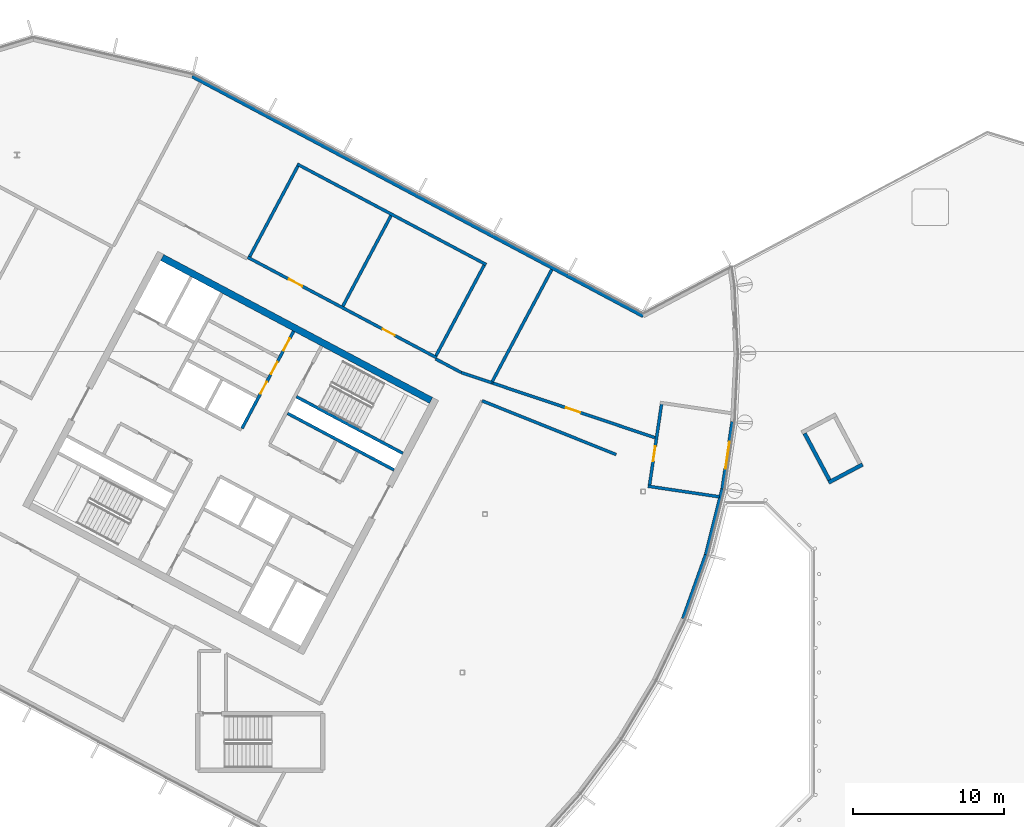
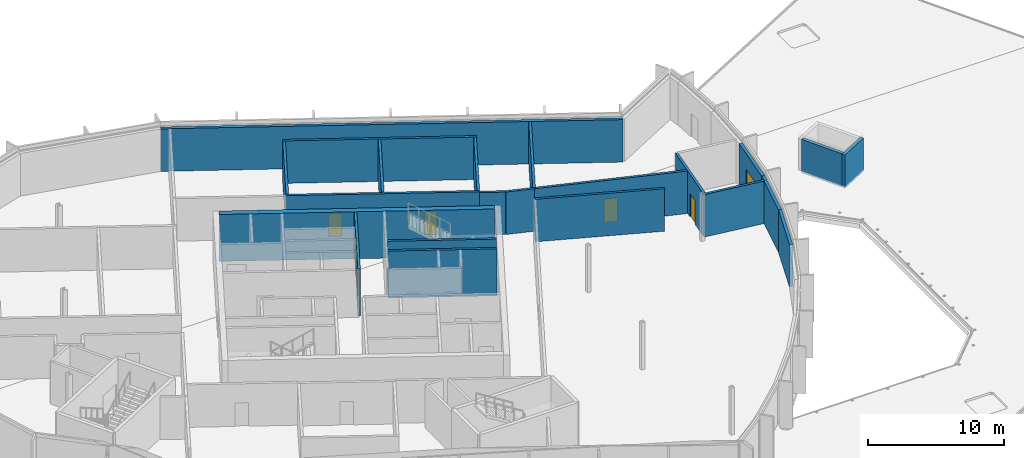
# One storey, part 7 of 16: 22 walls, 8 doors, 8 openings.
"""IFC4 building model written with IfcOpenShell, lengths in metres."""

from ifc_helpers import new_model, si_unit, direction, frame, frame_2d, origin, place, context, subcontext, project, spatial, rectangle, extrude, material, layer, layer_set, type_object, element, fill, save


model = new_model("IFC4")

# Units and contexts
model_context = context("Model", 3, precision=1e-05, world=origin(), true_north=direction((0.0, 1.0)))
body_context = subcontext(model_context, "Body", "Model", "MODEL_VIEW")
ifc_project = project(units=[si_unit("LENGTHUNIT", "METRE"), si_unit("AREAUNIT", "SQUARE_METRE"), si_unit("VOLUMEUNIT", "CUBIC_METRE"), si_unit("PLANEANGLEUNIT", "RADIAN"), si_unit("MASSUNIT", "GRAM", prefix="KILO")], contexts=[model_context])

# Site, building, storey
site_placement = place(None, origin())
site = spatial("IfcSite", under=ifc_project, at=site_placement, CompositionType="ELEMENT")
building_placement = place(site_placement, origin())
building = spatial("IfcBuilding", under=site, at=building_placement, Name="Cormorant Relay Tower", CompositionType="ELEMENT")
storey_placement = place(building_placement, frame((0.0, 0.0, 328.199951171875)))
storey = spatial("IfcBuildingStorey", under=building, at=storey_placement, Name="C1", CompositionType="ELEMENT", Elevation=328.199951171875)

# Wall, openings, doors
ifc_material_1 = material(Name="Concrete 50 MPa", Category="concrete")
ifc_layer_1 = layer(ifc_material_1, 0.199951171875)
ifc_layer_set_1 = layer_set([ifc_layer_1], Name="Core shaft wall 200")
wall_type_1 = type_object("IfcWallType", Name="Core shaft wall 200", PredefinedType="SHEAR", material=ifc_layer_set_1)
wall_1_placement = place(storey_placement, frame((-23.1875, 22.635498046875, 0.0), z_axis=(0.0, 0.0, 1.0), x_axis=(-0.469454336211, -0.882956752176, 0.0)))
wall_1 = element("IfcWall", 1, at=wall_1_placement, inside=storey, type_object=wall_type_1, Name="C1 core A shaft wall", PredefinedType="SHEAR", context=body_context, shape_type="SweptSolid", body=[
    extrude(rectangle(XDim=7.300048828125, YDim=0.199951171875, at=frame_2d((3.64990234375, 0.0))), origin(), (0.0, 0.0, 1.0), 4.199951171875),
])
opening_1_placement = place(wall_1_placement, frame((0.550048828125, 0.0, 0.0)))
opening_1 = element("IfcOpeningElement", 2, at=opening_1_placement, cuts=wall_1, Name="Opening CDD-360", PredefinedType="OPENING", context=body_context, shape_type="SweptSolid", body=[
    extrude(rectangle(XDim=0.89990234375, YDim=2.10009765625, at=frame_2d((0.449951171875, 1.050048828125))), frame((0.0, 0.10986328125, 0.0), z_axis=(0.0, -1.0, 0.0), x_axis=(1.0, 0.0, 0.0)), (0.0, 0.0, 1.0), 0.219970703125),
])
opening_2_placement = place(wall_1_placement, frame((2.300048828125, 0.0, 0.0)))
opening_2 = element("IfcOpeningElement", 3, at=opening_2_placement, cuts=wall_1, Name="Opening CDD-361", PredefinedType="OPENING", context=body_context, shape_type="SweptSolid", body=[
    extrude(rectangle(XDim=0.89990234375, YDim=2.10009765625, at=frame_2d((0.449951171875, 1.050048828125))), frame((0.0, 0.10986328125, 0.0), z_axis=(0.0, -1.0, 0.0), x_axis=(1.0, 0.0, 0.0)), (0.0, 0.0, 1.0), 0.219970703125),
])
opening_3_placement = place(wall_1_placement, frame((3.800048828125, 0.0, 0.0)))
opening_3 = element("IfcOpeningElement", 4, at=opening_3_placement, cuts=wall_1, Name="Opening CDD-362", PredefinedType="OPENING", context=body_context, shape_type="SweptSolid", body=[
    extrude(rectangle(XDim=0.89990234375, YDim=2.10009765625, at=frame_2d((0.449951171875, 1.050048828125))), frame((0.0, 0.10986328125, 0.0), z_axis=(0.0, -1.0, 0.0), x_axis=(1.0, 0.0, 0.0)), (0.0, 0.0, 1.0), 0.219970703125),
])
ifc_material_2 = material(Name="Steel fire door", Category="steel")
door_type_1 = type_object("IfcDoorType", Name="Core room door 900x2100", OperationType="SINGLE_SWING_LEFT", PredefinedType="DOOR", material=ifc_material_2)
door_1_placement = place(opening_1_placement, frame((0.89990234375, 0.0, 0.0), z_axis=(0.0, 0.0, 1.0), x_axis=(-1.0, 0.0, 0.0)))
door_1 = element("IfcDoor", 5, at=door_1_placement, inside=storey, type_object=door_type_1, Name="Core room door 900x2100", OperationType="SINGLE_SWING_LEFT", OverallHeight=2.10009765625, OverallWidth=0.89990234375, PredefinedType="DOOR", context=body_context, shape_type="SweptSolid", body=[
    extrude(rectangle(XDim=0.89990234375, YDim=2.10009765625, at=frame_2d((0.449951171875, 1.050048828125))), frame((0.0, 0.02490234375, 0.0), z_axis=(0.0, -1.0, 0.0), x_axis=(1.0, 0.0, 0.0)), (0.0, 0.0, 1.0), 0.050048828125),
])
fill(opening_1, door_1)
door_2_placement = place(opening_2_placement, frame((0.89990234375, 0.0, 0.0), z_axis=(0.0, 0.0, 1.0), x_axis=(-1.0, 0.0, 0.0)))
door_2 = element("IfcDoor", 6, at=door_2_placement, inside=storey, type_object=door_type_1, Name="Core room door 900x2100", OperationType="SINGLE_SWING_RIGHT", OverallHeight=2.10009765625, OverallWidth=0.89990234375, PredefinedType="DOOR", context=body_context, shape_type="SweptSolid", body=[
    extrude(rectangle(XDim=0.89990234375, YDim=2.10009765625, at=frame_2d((0.449951171875, 1.050048828125))), frame((0.0, 0.02490234375, 0.0), z_axis=(0.0, -1.0, 0.0), x_axis=(1.0, 0.0, 0.0)), (0.0, 0.0, 1.0), 0.050048828125),
])
fill(opening_2, door_2)
door_3_placement = place(opening_3_placement, origin())
door_3 = element("IfcDoor", 7, at=door_3_placement, inside=storey, type_object=door_type_1, Name="Core room door 900x2100", OperationType="SINGLE_SWING_LEFT", OverallHeight=2.10009765625, OverallWidth=0.89990234375, PredefinedType="DOOR", context=body_context, shape_type="SweptSolid", body=[
    extrude(rectangle(XDim=0.89990234375, YDim=2.10009765625, at=frame_2d((0.449951171875, 1.050048828125))), frame((0.0, 0.02490234375, 0.0), z_axis=(0.0, -1.0, 0.0), x_axis=(1.0, 0.0, 0.0)), (0.0, 0.0, 1.0), 0.050048828125),
])
fill(opening_3, door_3)

# Walls
wall_2_placement = place(storey_placement, frame((-15.94189453125, 14.53564453125, 0.0), z_axis=(0.0, 0.0, 1.0), x_axis=(-0.882946947542, 0.469472776449, 0.0)))
element("IfcWall", 8, at=wall_2_placement, inside=storey, type_object=wall_type_1, Name="C1 core A shaft wall", PredefinedType="SHEAR", context=body_context, shape_type="SweptSolid", body=[
    extrude(rectangle(XDim=8.000244140625, YDim=0.199951171875, at=frame_2d((4.0, 0.0))), origin(), (0.0, 0.0, 1.0), 4.199951171875),
])
wall_3_placement = place(storey_placement, frame((-16.52880859375, 13.43212890625, 0.0), z_axis=(0.0, 0.0, 1.0), x_axis=(-0.88295287151, 0.469461634952, 0.0)))
element("IfcWall", 9, at=wall_3_placement, inside=storey, type_object=wall_type_1, Name="C1 core A shaft wall", PredefinedType="SHEAR", context=body_context, shape_type="SweptSolid", body=[
    extrude(rectangle(XDim=7.999755859375, YDim=0.199951171875, at=frame_2d((4.0, 0.0))), origin(), (0.0, 0.0, 1.0), 4.199951171875),
])
ifc_material_3 = material(Name="Concrete 50 MPa", Category="concrete")
ifc_layer_2 = layer(ifc_material_3, 0.449951171875)
ifc_layer_set_2 = layer_set([ifc_layer_2], Name="Core wall 450")
wall_type_2 = type_object("IfcWallType", Name="Core wall 450", PredefinedType="SHEAR", material=ifc_layer_set_2)
wall_4_placement = place(storey_placement, frame((-14.07568359375, 18.04541015625, 0.0), z_axis=(0.0, 0.0, 1.0), x_axis=(-0.882947755831, 0.46947125628, 0.0)))
element("IfcWall", 10, at=wall_4_placement, inside=storey, type_object=wall_type_2, Name="C1 core A wall", PredefinedType="SHEAR", context=body_context, shape_type="SweptSolid", body=[
    extrude(rectangle(XDim=20.2001953125, YDim=0.449951171875, at=frame_2d((10.10009765625, 0.0))), origin(), (0.0, 0.0, 1.0), 4.199951171875),
])
ifc_material_4 = material(Name="Concrete 30 MPa block wall", Category="concrete")
ifc_layer_3 = layer(ifc_material_4, 0.199951171875)
ifc_layer_set_3 = layer_set([ifc_layer_3], Name="Crown plant room wall 200")
wall_type_3 = type_object("IfcWallType", Name="Crown plant room wall 200", PredefinedType="PARTITIONING", material=ifc_layer_set_3)
wall_5_placement = place(storey_placement, frame((-10.41650390625, 27.057373046875, 0.0), z_axis=(0.0, 0.0, 1.0), x_axis=(-0.882947150019, 0.469472395646, 0.0)))
element("IfcWall", 11, at=wall_5_placement, inside=storey, type_object=wall_type_3, Name="Plant room wall", PredefinedType="PARTITIONING", context=body_context, shape_type="SweptSolid", body=[
    extrude(rectangle(XDim=14.199951171875, YDim=0.199951171875, at=frame_2d((7.10009765625, 0.0))), origin(), (0.0, 0.0, 1.0), 3.7998046875),
])

# Wall, openings, doors
wall_6_placement = place(storey_placement, frame((-13.702880859375, 20.876708984375, 0.0), z_axis=(0.0, 0.0, 1.0), x_axis=(-0.882947150019, 0.469472395646, 0.0)))
wall_6 = element("IfcWall", 12, at=wall_6_placement, inside=storey, type_object=wall_type_3, Name="Plant room wall", PredefinedType="PARTITIONING", context=body_context, shape_type="SweptSolid", body=[
    extrude(rectangle(XDim=14.199951171875, YDim=0.199951171875, at=frame_2d((7.10009765625, 0.0))), origin(), (0.0, 0.0, 1.0), 3.7998046875),
])
opening_4_placement = place(wall_6_placement, frame((3.14990234375, 0.0, 0.0)))
opening_4 = element("IfcOpeningElement", 13, at=opening_4_placement, cuts=wall_6, Name="Opening CRD4-001", PredefinedType="OPENING", context=body_context, shape_type="SweptSolid", body=[
    extrude(rectangle(XDim=0.89990234375, YDim=2.10009765625, at=frame_2d((0.449951171875, 1.050048828125))), frame((0.0, 0.10986328125, 0.0), z_axis=(0.0, -1.0, 0.0), x_axis=(1.0, 0.0, 0.0)), (0.0, 0.0, 1.0), 0.219970703125),
])
opening_5_placement = place(wall_6_placement, frame((10.10009765625, 0.0, 0.0)))
opening_5 = element("IfcOpeningElement", 14, at=opening_5_placement, cuts=wall_6, Name="Opening CRD1-002", PredefinedType="OPENING", context=body_context, shape_type="SweptSolid", body=[
    extrude(rectangle(XDim=1.0, YDim=2.10009765625, at=frame_2d((0.5, 1.050048828125))), frame((0.0, 0.10986328125, 0.0), z_axis=(0.0, -1.0, 0.0), x_axis=(1.0, 0.0, 0.0)), (0.0, 0.0, 1.0), 0.219970703125),
])
ifc_material_5 = material(Name="Galvanised sheet steel ASTM A653 framed door leaf", Category="steel")
door_type_2 = type_object("IfcDoorType", Name="Crown door single 1000", OperationType="SINGLE_SWING_LEFT", PredefinedType="DOOR", material=ifc_material_5)
door_4_placement = place(opening_5_placement, frame((1.0, 0.0, 0.0), z_axis=(0.0, 0.0, 1.0), x_axis=(-1.0, 0.0, 0.0)))
door_4 = element("IfcDoor", 15, at=door_4_placement, inside=storey, type_object=door_type_2, Name="Fire water tank room door", OperationType="SINGLE_SWING_RIGHT", OverallHeight=2.10009765625, OverallWidth=1.0, PredefinedType="DOOR", context=body_context, shape_type="SweptSolid", body=[
    extrude(rectangle(XDim=1.0, YDim=2.10009765625, at=frame_2d((0.5, 1.050048828125))), frame((0.0, 0.02490234375, 0.0), z_axis=(0.0, -1.0, 0.0), x_axis=(1.0, 0.0, 0.0)), (0.0, 0.0, 1.0), 0.050048828125),
])
fill(opening_5, door_4)
ifc_material_6 = material(Name="Galvanised sheet steel ASTM A653 framed door leaf", Category="steel")
door_type_3 = type_object("IfcDoorType", Name="Crown door single 900", OperationType="SINGLE_SWING_LEFT", PredefinedType="DOOR", material=ifc_material_6)
door_5_placement = place(opening_4_placement, frame((0.89990234375, 0.0, 0.0), z_axis=(0.0, 0.0, 1.0), x_axis=(-1.0, 0.0, 0.0)))
door_5 = element("IfcDoor", 16, at=door_5_placement, inside=storey, type_object=door_type_3, Name="Pump room door", OperationType="SINGLE_SWING_RIGHT", OverallHeight=2.10009765625, OverallWidth=0.89990234375, PredefinedType="DOOR", context=body_context, shape_type="SweptSolid", body=[
    extrude(rectangle(XDim=0.89990234375, YDim=2.10009765625, at=frame_2d((0.449951171875, 1.050048828125))), frame((0.0, 0.02490234375, 0.0), z_axis=(0.0, -1.0, 0.0), x_axis=(1.0, 0.0, 0.0)), (0.0, 0.0, 1.0), 0.050048828125),
])
fill(opening_4, door_5)

# Walls
for number, where, z_axis, x_axis, name in (
    (17, (-10.5517578125, 27.01611328125, 0.0), (0.0, 0.0, 1.0), (-0.469462324734, -0.882952504756, 0.0), "Plant room wall"),
    (18, (-16.732421875, 30.302490234375, 0.0), (0.0, 0.0, 1.0), (-0.469462324734, -0.882952504756, 0.0), "Plant room wall"),
):
    element("IfcWall", number, at=place(storey_placement, frame(where, z_axis=z_axis, x_axis=x_axis)), inside=storey, type_object=wall_type_3, Name=name, PredefinedType="PARTITIONING", context=body_context, shape_type="SweptSolid", body=[
        extrude(rectangle(XDim=6.800048828125, YDim=0.199951171875, at=frame_2d((3.39990234375, 0.0))), origin(), (0.0, 0.0, 1.0), 3.7998046875),
    ])
wall_7_placement = place(storey_placement, frame((-22.9130859375, 33.588623046875, 0.0), z_axis=(0.0, 0.0, 1.0), x_axis=(-0.469477207229, -0.882944591632, 0.0)))
element("IfcWall", 19, at=wall_7_placement, inside=storey, type_object=wall_type_3, Name="Plant room wall", PredefinedType="PARTITIONING", context=body_context, shape_type="SweptSolid", body=[
    extrude(rectangle(XDim=6.7998046875, YDim=0.199951171875, at=frame_2d((3.39990234375, 0.0))), origin(), (0.0, 0.0, 1.0), 3.7998046875),
])
wall_8_placement = place(storey_placement, frame((5.056396484375, 11.651611328125, 0.0), z_axis=(0.0, 0.0, 1.0), x_axis=(-0.989174220841, 0.146745905647, 0.0)))
element("IfcWall", 20, at=wall_8_placement, inside=storey, type_object=wall_type_3, Name="Terrace lobby wall", PredefinedType="PARTITIONING", context=body_context, shape_type="SweptSolid", body=[
    extrude(rectangle(XDim=4.7998046875, YDim=0.199951171875, at=frame_2d((2.39990234375, 0.0))), origin(), (0.0, 0.0, 1.0), 3.7998046875),
])

# Wall, opening, door
wall_9_placement = place(storey_placement, frame((1.22900390625, 17.880859375, 0.0), z_axis=(0.0, 0.0, 1.0), x_axis=(-0.146698756558, -0.989181214351, 0.0)))
wall_9 = element("IfcWall", 21, at=wall_9_placement, inside=storey, type_object=wall_type_3, Name="Terrace lobby wall", PredefinedType="PARTITIONING", context=body_context, shape_type="SweptSolid", body=[
    extrude(rectangle(XDim=5.60009765625, YDim=0.199951171875, at=frame_2d((2.800048828125, 0.0))), origin(), (0.0, 0.0, 1.0), 3.7998046875),
])
opening_6_placement = place(wall_9_placement, frame((2.89990234375, 0.0, 0.0)))
opening_6 = element("IfcOpeningElement", 22, at=opening_6_placement, cuts=wall_9, Name="Opening CRD1-006", PredefinedType="OPENING", context=body_context, shape_type="SweptSolid", body=[
    extrude(rectangle(XDim=1.0, YDim=2.10009765625, at=frame_2d((0.5, 1.050048828125))), frame((0.0, 0.10986328125, 0.0), z_axis=(0.0, -1.0, 0.0), x_axis=(1.0, 0.0, 0.0)), (0.0, 0.0, 1.0), 0.219970703125),
])
door_6_placement = place(opening_6_placement, origin())
door_6 = element("IfcDoor", 23, at=door_6_placement, inside=storey, type_object=door_type_2, Name="Terrace lobby door", OperationType="SINGLE_SWING_RIGHT", OverallHeight=2.10009765625, OverallWidth=1.0, PredefinedType="DOOR", context=body_context, shape_type="SweptSolid", body=[
    extrude(rectangle(XDim=1.0, YDim=2.10009765625, at=frame_2d((0.5, 1.050048828125))), frame((0.0, 0.02490234375, 0.0), z_axis=(0.0, -1.0, 0.0), x_axis=(1.0, 0.0, 0.0)), (0.0, 0.0, 1.0), 0.050048828125),
])
fill(opening_6, door_6)

# Walls
wall_10_placement = place(storey_placement, frame((-13.767578125, 20.7978515625, 0.0), z_axis=(0.0, 0.0, 1.0), x_axis=(0.882957622595, -0.46945269911, 0.0)))
element("IfcWall", 24, at=wall_10_placement, inside=storey, type_object=wall_type_3, Name="Plant room wall", PredefinedType="PARTITIONING", context=body_context, shape_type="SweptSolid", body=[
    extrude(rectangle(XDim=1.919921875, YDim=0.199951171875, at=frame_2d((0.9599609375, 0.0))), origin(), (0.0, 0.0, 1.0), 3.7998046875),
])
wall_11_placement = place(storey_placement, frame((-12.072265625, 19.896484375, 0.0), z_axis=(0.0, 0.0, 1.0), x_axis=(0.94785027964, -0.318715935257, 0.0)))
element("IfcWall", 25, at=wall_11_placement, inside=storey, type_object=wall_type_3, Name="Plant room wall", PredefinedType="PARTITIONING", context=body_context, shape_type="SweptSolid", body=[
    extrude(rectangle(XDim=2.14794921875, YDim=0.199951171875, at=frame_2d((1.073974609375, 0.0))), origin(), (0.0, 0.0, 1.0), 3.7998046875),
])
wall_12_placement = place(storey_placement, frame((-1.79345703125, 14.45263671875, 0.0), z_axis=(0.0, 0.0, 1.0), x_axis=(-0.928073786127, 0.372396358071, 0.0)))
element("IfcWall", 26, at=wall_12_placement, inside=storey, type_object=wall_type_3, Name="Plant room wall", PredefinedType="PARTITIONING", context=body_context, shape_type="SweptSolid", body=[
    extrude(rectangle(XDim=9.582763671875, YDim=0.199951171875, at=frame_2d((4.79150390625, 0.0))), origin(), (0.0, 0.0, 1.0), 3.7998046875),
])

# Wall, opening, door
wall_13_placement = place(storey_placement, frame((-10.072509765625, 19.22412109375, 0.0), z_axis=(0.0, 0.0, 1.0), x_axis=(0.947842416716, -0.318739318368, 0.0)))
wall_13 = element("IfcWall", 27, at=wall_13_placement, inside=storey, type_object=wall_type_3, Name="Plant room wall", PredefinedType="PARTITIONING", context=body_context, shape_type="SweptSolid", body=[
    extrude(rectangle(XDim=11.45556640625, YDim=0.199951171875, at=frame_2d((5.727783203125, 0.0))), origin(), (0.0, 0.0, 1.0), 3.7998046875),
])
opening_7_placement = place(wall_13_placement, frame((5.227783203125, 0.0, 0.0)))
opening_7 = element("IfcOpeningElement", 28, at=opening_7_placement, cuts=wall_13, Name="Opening CRD1-012", PredefinedType="OPENING", context=body_context, shape_type="SweptSolid", body=[
    extrude(rectangle(XDim=1.0, YDim=2.10009765625, at=frame_2d((0.5, 1.050048828125))), frame((0.0, 0.10986328125, 0.0), z_axis=(0.0, -1.0, 0.0), x_axis=(1.0, 0.0, 0.0)), (0.0, 0.0, 1.0), 0.219970703125),
])
door_7_placement = place(opening_7_placement, origin())
door_7 = element("IfcDoor", 29, at=door_7_placement, inside=storey, type_object=door_type_2, Name="Radio frequency room door", OperationType="SINGLE_SWING_RIGHT", OverallHeight=2.10009765625, OverallWidth=1.0, PredefinedType="DOOR", context=body_context, shape_type="SweptSolid", body=[
    extrude(rectangle(XDim=1.0, YDim=2.10009765625, at=frame_2d((0.5, 1.050048828125))), frame((0.0, 0.02490234375, 0.0), z_axis=(0.0, -1.0, 0.0), x_axis=(1.0, 0.0, 0.0)), (0.0, 0.0, 1.0), 0.050048828125),
])
fill(opening_7, door_7)

# Walls
wall_14_placement = place(storey_placement, frame((-6.064208984375, 26.72509765625, 0.0), z_axis=(0.0, 0.0, 1.0), x_axis=(-0.46948343028, -0.882941282698, 0.0)))
element("IfcWall", 30, at=wall_14_placement, inside=storey, type_object=wall_type_3, Name="Plant room wall", PredefinedType="PARTITIONING", context=body_context, shape_type="SweptSolid", body=[
    extrude(rectangle(XDim=8.501708984375, YDim=0.199951171875, at=frame_2d((4.2509765625, 0.0))), origin(), (0.0, 0.0, 1.0), 3.7998046875),
])
ifc_material_7 = material(Name="Bronze cladding on Concrete 30 MPa block wall", Category="concrete")
ifc_layer_4 = layer(ifc_material_7, 0.25)
ifc_layer_set_4 = layer_set([ifc_layer_4], Name="Crown wall 250")
wall_type_4 = type_object("IfcWallType", Name="Crown wall 250", PredefinedType="STANDARD", material=ifc_layer_set_4)
wall_15_placement = place(storey_placement, frame((-29.91796875, 39.550048828125, 0.0), z_axis=(0.0, 0.0, 1.0), x_axis=(0.882946997297, -0.469472682872, 0.0)))
element("IfcWall", 31, at=wall_15_placement, inside=storey, type_object=wall_type_4, Name="Crown wall C1", PredefinedType="STANDARD", context=body_context, shape_type="SweptSolid", body=[
    extrude(rectangle(XDim=33.88427734375, YDim=0.25, at=frame_2d((16.942138671875, 0.0))), origin(), (0.0, 0.0, 1.0), 3.7998046875),
])

# Wall, opening, door
wall_16_placement = place(storey_placement, frame((5.92138671875, 16.629638671875, 0.0), z_axis=(0.0, 0.0, 1.0), x_axis=(-0.146749130858, -0.989173742369, 0.0)))
wall_16 = element("IfcWall", 32, at=wall_16_placement, inside=storey, type_object=wall_type_4, Name="Crown wall C1", PredefinedType="STANDARD", context=body_context, shape_type="SweptSolid", body=[
    extrude(rectangle(XDim=4.501953125, YDim=0.25, at=frame_2d((2.2509765625, 0.0))), origin(), (0.0, 0.0, 1.0), 3.7998046875),
])
opening_8_placement = place(wall_16_placement, frame((1.35107421875, 0.0, 0.0)))
opening_8 = element("IfcOpeningElement", 33, at=opening_8_placement, cuts=wall_16, Name="Opening CRD2-001", PredefinedType="OPENING", context=body_context, shape_type="SweptSolid", body=[
    extrude(rectangle(XDim=1.800048828125, YDim=2.39990234375, at=frame_2d((0.89990234375, 1.199951171875))), frame((0.0, 0.135009765625, 0.0), z_axis=(0.0, -1.0, 0.0), x_axis=(1.0, 0.0, 0.0)), (0.0, 0.0, 1.0), 0.27001953125),
])
ifc_material_8 = material(Name="Aluminium and clear glass", Category="aluminium")
door_type_4 = type_object("IfcDoorType", Name="Crown door double 1800", OperationType="DOUBLE_DOOR_SINGLE_SWING", PredefinedType="DOOR", material=ifc_material_8)
door_8_placement = place(opening_8_placement, frame((1.800048828125, 0.0, 0.0), z_axis=(0.0, 0.0, 1.0), x_axis=(-1.0, 0.0, 0.0)))
door_8 = element("IfcDoor", 34, at=door_8_placement, inside=storey, type_object=door_type_4, Name="Roof terrace door", OperationType="DOUBLE_DOOR_SINGLE_SWING", OverallHeight=2.39990234375, OverallWidth=1.800048828125, PredefinedType="DOOR", context=body_context, shape_type="SweptSolid", body=[
    extrude(rectangle(XDim=1.800048828125, YDim=2.39990234375, at=frame_2d((0.89990234375, 1.199951171875))), frame((0.0, 0.02490234375, 0.0), z_axis=(0.0, -1.0, 0.0), x_axis=(1.0, 0.0, 0.0)), (0.0, 0.0, 1.0), 0.050048828125),
])
fill(opening_8, door_8)

# Walls
for number, where, z_axis, x_axis, name in (
    (35, (5.2607421875, 12.176513671875, 0.0), (0.0, 0.0, 1.0), (-0.242956693097, -0.970037136031, 0.0), "Crown wall C1"),
    (36, (4.1669921875, 7.8095703125, 0.0), (0.0, 0.0, 1.0), (-0.33692721032, -0.941530697824, 0.0), "Crown wall C1"),
):
    element("IfcWall", number, at=place(storey_placement, frame(where, z_axis=z_axis, x_axis=x_axis)), inside=storey, type_object=wall_type_4, Name=name, PredefinedType="STANDARD", context=body_context, shape_type="SweptSolid", body=[
        extrude(rectangle(XDim=4.501953125, YDim=0.25, at=frame_2d((2.2509765625, 0.0))), origin(), (0.0, 0.0, 1.0), 3.7998046875),
    ])
ifc_material_9 = material(Name="Concrete 50 MPa", Category="concrete")
ifc_layer_5 = layer(ifc_material_9, 0.25)
ifc_layer_set_5 = layer_set([ifc_layer_5], Name="Lift overrun wall 250")
wall_type_5 = type_object("IfcWallType", Name="Lift overrun wall 250", PredefinedType="SOLIDWALL", material=ifc_layer_set_5)
wall_17_placement = place(storey_placement, frame((12.2998046875, 12.59912109375, 0.0), z_axis=(0.0, 0.0, 1.0), x_axis=(0.882924747423, 0.469514526281, 0.0)))
element("IfcWall", 37, at=wall_17_placement, inside=storey, type_object=wall_type_5, Name="Lift overrun wall", PredefinedType="SOLIDWALL", context=body_context, shape_type="SweptSolid", body=[
    extrude(rectangle(XDim=2.550048828125, YDim=0.25, at=frame_2d((1.27490234375, 0.0))), origin(), (0.0, 0.0, 1.0), 3.0),
])
wall_18_placement = place(storey_placement, frame((12.3515625, 12.768310546875, 0.0), z_axis=(0.0, 0.0, 1.0), x_axis=(-0.469505386913, 0.88292960742, 0.0)))
element("IfcWall", 38, at=wall_18_placement, inside=storey, type_object=wall_type_5, Name="Lift overrun wall", PredefinedType="SOLIDWALL", context=body_context, shape_type="SweptSolid", body=[
    extrude(rectangle(XDim=3.5, YDim=0.25, at=frame_2d((1.75, 0.0))), origin(), (0.0, 0.0, 1.0), 3.0),
])

save(model, "model.ifc")
